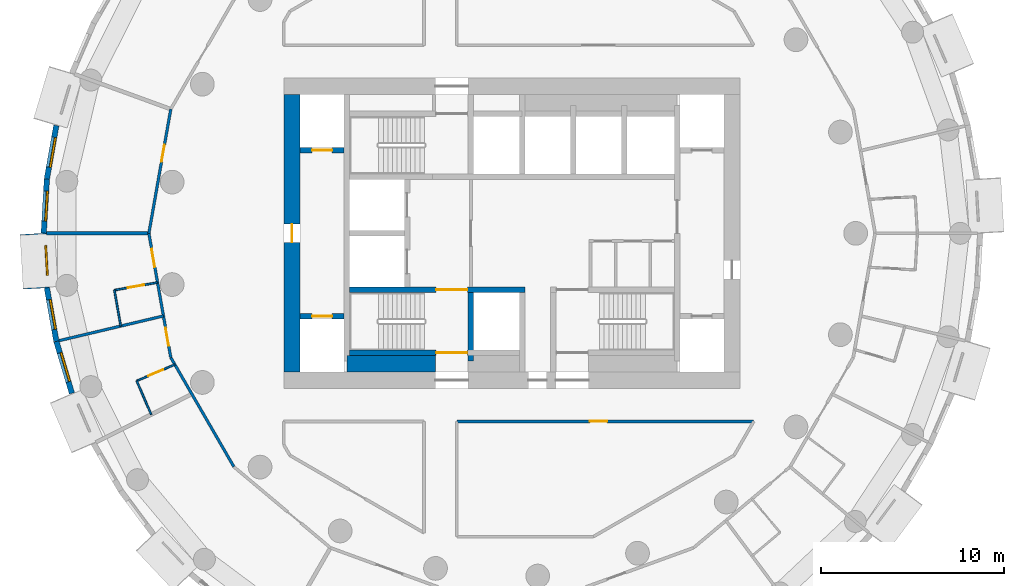
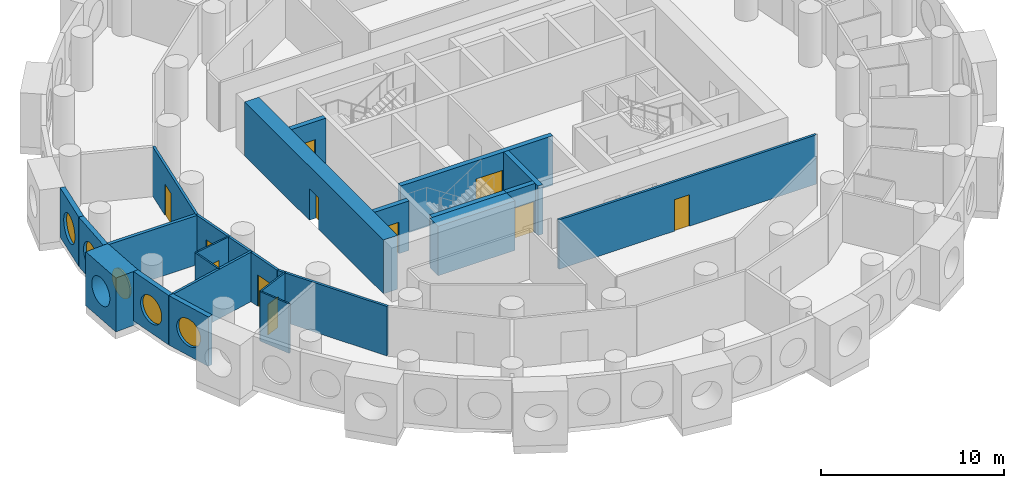
# One storey, part 3 of 10: 23 walls, 11 doors, 5 windows, 16 openings.
"""IFC4 building model written with IfcOpenShell, lengths in metres."""

from ifc_helpers import new_model, si_unit, direction, frame, frame_2d, origin, origin_2d, place, context, subcontext, project, spatial, rectangle, circle, extrude, material, layer, layer_set, type_object, element, fill, save


model = new_model("IFC4")

# Units and contexts
model_context = context("Model", 3, precision=1e-05, world=origin(), true_north=direction((0.0, 1.0)))
body_context = subcontext(model_context, "Body", "Model", "MODEL_VIEW")
ifc_project = project(units=[si_unit("LENGTHUNIT", "METRE"), si_unit("AREAUNIT", "SQUARE_METRE"), si_unit("VOLUMEUNIT", "CUBIC_METRE"), si_unit("PLANEANGLEUNIT", "RADIAN"), si_unit("MASSUNIT", "GRAM", prefix="KILO")], contexts=[model_context])

# Site, building, storey
site_placement = place(None, origin())
site = spatial("IfcSite", under=ifc_project, at=site_placement, CompositionType="ELEMENT")
building_placement = place(site_placement, origin())
building = spatial("IfcBuilding", under=site, at=building_placement, Name="Tracery Tower", CompositionType="ELEMENT")
storey_placement = place(building_placement, frame((0.0, 0.0, 194.39990234375)))
storey = spatial("IfcBuildingStorey", under=building, at=storey_placement, Name="L50", CompositionType="ELEMENT", Elevation=194.39990234375)

# Wall
ifc_material_1 = material(Name="Concrete C50/60", Category="concrete")
ifc_layer_1 = layer(ifc_material_1, 0.89990234375)
ifc_layer_set_1 = layer_set([ifc_layer_1], Name="Core strip wall 900 C50")
wall_type_1 = type_object("IfcWallType", Name="Core strip wall 900 C50", PredefinedType="SOLIDWALL", material=ifc_layer_set_1)
wall_1_placement = place(storey_placement, frame((-9.050048828125, -7.14990234375, 0.0), z_axis=(0.0, 0.0, 1.0), x_axis=(1.0, 0.0, 0.0)))
element("IfcWall", 1, at=wall_1_placement, inside=storey, type_object=wall_type_1, Name="L50 F thick S W", PredefinedType="SOLIDWALL", context=body_context, shape_type="SweptSolid", body=[
    extrude(rectangle(XDim=4.85009765625, YDim=0.89990234375, at=frame_2d((2.425048828125, 0.0))), origin(), (0.0, 0.0, 1.0), 3.300048828125),
])

# Wall, opening, door
ifc_material_2 = material(Name="Concrete C50/60", Category="concrete")
ifc_layer_2 = layer(ifc_material_2, 0.89990234375)
ifc_layer_set_2 = layer_set([ifc_layer_2], Name="Core wall 900 C50")
wall_type_2 = type_object("IfcWallType", Name="Core wall 900 C50", PredefinedType="SOLIDWALL", material=ifc_layer_set_2)
wall_2_placement = place(storey_placement, frame((-12.050048828125, -7.60009765625, 0.0), z_axis=(0.0, 0.0, 1.0), x_axis=(0.0, 1.0, 0.0)))
wall_2 = element("IfcWall", 2, at=wall_2_placement, inside=storey, type_object=wall_type_2, Name="L50 outer W", PredefinedType="SOLIDWALL", context=body_context, shape_type="SweptSolid", body=[
    extrude(rectangle(XDim=15.2001953125, YDim=0.89990234375, at=frame_2d((7.60009765625, 0.0))), origin(), (0.0, 0.0, 1.0), 3.60009765625),
])
opening_1_placement = place(wall_2_placement, frame((7.10009765625, 0.0, 0.0)))
opening_1 = element("IfcOpeningElement", 3, at=opening_1_placement, cuts=wall_2, Name="Opening KD18", PredefinedType="OPENING", context=body_context, shape_type="SweptSolid", body=[
    extrude(rectangle(XDim=1.0, YDim=2.10009765625, at=frame_2d((0.5, 1.050048828125))), frame((0.0, 0.449951171875, 0.0), z_axis=(0.0, -1.0, 0.0), x_axis=(1.0, 0.0, 0.0)), (0.0, 0.0, 1.0), 0.89990234375),
])
ifc_material_3 = material(Name="Steel fire door", Category="steel")
door_type_1 = type_object("IfcDoorType", Name="Core exit door 1000", OperationType="NOTDEFINED", PredefinedType="DOOR", material=ifc_material_3)
door_1_placement = place(opening_1_placement, origin())
door_1 = element("IfcDoor", 4, at=door_1_placement, inside=storey, type_object=door_type_1, Name="Core exit door", OperationType="DOUBLE_DOOR_SINGLE_SWING", OverallHeight=2.10009765625, OverallWidth=1.0, PredefinedType="DOOR", context=body_context, shape_type="SweptSolid", body=[
    extrude(rectangle(XDim=1.0, YDim=2.10009765625, at=frame_2d((0.5, 1.050048828125))), frame((0.0, 0.02490234375, 0.0), z_axis=(0.0, -1.0, 0.0), x_axis=(1.0, 0.0, 0.0)), (0.0, 0.0, 1.0), 0.050048828125),
])
fill(opening_1, door_1)

# Wall, opening, window
ifc_material_4 = material(Name="Precast concrete C50/60", Category="concrete")
ifc_layer_3 = layer(ifc_material_4, 1.449951171875)
ifc_layer_set_3 = layer_set([ifc_layer_3], Name="Deep-set bay unit 3000 x 3600, slab edge 300")
wall_type_3 = type_object("IfcWallType", Name="Deep-set bay unit 3000 x 3600, slab edge 300", PredefinedType="ELEMENTEDWALL", material=ifc_layer_set_3)
wall_3_placement = place(storey_placement, frame((-26.221923828125, -0.024658203125, -0.2998046875), z_axis=(0.0, 0.0, 1.0), x_axis=(0.058106596105, -0.998310384344, 0.0)))
wall_3 = element("IfcWall", 5, at=wall_3_placement, inside=storey, type_object=wall_type_3, Name="Deep-set bay unit 28 at L50", PredefinedType="ELEMENTEDWALL", context=body_context, shape_type="SweptSolid", body=[
    extrude(rectangle(XDim=3.0, YDim=1.449951171875, at=frame_2d((1.5, 0.0))), origin(), (0.0, 0.0, 1.0), 3.599853515625),
])
opening_2_placement = place(wall_3_placement, frame((1.5, 0.0, 1.85009765625)))
opening_2 = element("IfcOpeningElement", 6, at=opening_2_placement, cuts=wall_3, Name="Opening WN1", PredefinedType="OPENING", context=body_context, shape_type="SweptSolid", body=[
    extrude(circle(Radius=0.9000244140625, at=origin_2d()), frame((0.0, 0.73486328125, 0.0), z_axis=(0.0, -1.0, 0.0), x_axis=(1.0, 0.0, 0.0)), (0.0, 0.0, 1.0), 1.469970703125),
])
ifc_material_5 = material(Name="Aluminium frame with tinted double glazing", Category="aluminium")
window_type = type_object("IfcWindowType", Name="Round window 1800", PartitioningType="SINGLE_PANEL", PredefinedType="WINDOW", material=ifc_material_5)
window_1_placement = place(opening_2_placement, origin())
window_1 = element("IfcWindow", 7, at=window_1_placement, inside=storey, type_object=window_type, Name="Round window 28 at L50", OverallHeight=1.800048828125, OverallWidth=1.800048828125, PartitioningType="SINGLE_PANEL", PredefinedType="WINDOW", context=body_context, shape_type="SweptSolid", body=[
    extrude(circle(Radius=0.9000244140625, at=origin_2d()), frame((0.0, 0.69482421875, 0.0), z_axis=(0.0, -1.0, 0.0), x_axis=(1.0, 0.0, 0.0)), (0.0, 0.0, 1.0), 0.10009765625),
])
fill(opening_2, window_1)

ifc_material_6 = material(Name="Precast concrete C50/60", Category="concrete")
ifc_layer_4 = layer(ifc_material_6, 0.300048828125)
ifc_layer_set_4 = layer_set([ifc_layer_4], Name="Facade panel 3000 x 3300")
wall_type_4 = type_object("IfcWallType", Name="Facade panel 3000 x 3300", PredefinedType="SOLIDWALL", material=ifc_layer_set_4)
wall_4_placement = place(storey_placement, frame((-24.957763671875, 5.9052734375, 0.0), z_axis=(0.0, 0.0, 1.0), x_axis=(-0.173686952598, -0.984800915159, 0.0)))
wall_4 = element("IfcWall", 8, at=wall_4_placement, inside=storey, type_object=wall_type_4, Name="Facade panel 26 at L50", PredefinedType="SOLIDWALL", context=body_context, shape_type="SweptSolid", body=[
    extrude(rectangle(XDim=2.972900390625, YDim=0.300048828125, at=frame_2d((1.486328125, 0.0))), origin(), (0.0, 0.0, 1.0), 3.300048828125),
])
opening_3_placement = place(wall_4_placement, frame((1.486328125, 0.0, 1.5498046875)))
opening_3 = element("IfcOpeningElement", 9, at=opening_3_placement, cuts=wall_4, Name="Opening WN1", PredefinedType="OPENING", context=body_context, shape_type="SweptSolid", body=[
    extrude(circle(Radius=0.9000244140625, at=origin_2d()), frame((0.0, 0.159912109375, 0.0), z_axis=(0.0, -1.0, 0.0), x_axis=(1.0, 0.0, 0.0)), (0.0, 0.0, 1.0), 0.320068359375),
])
window_2_placement = place(opening_3_placement, origin())
window_2 = element("IfcWindow", 10, at=window_2_placement, inside=storey, type_object=window_type, Name="Round window 26 at L50", OverallHeight=1.800048828125, OverallWidth=1.800048828125, PartitioningType="SINGLE_PANEL", PredefinedType="WINDOW", context=body_context, shape_type="SweptSolid", body=[
    extrude(circle(Radius=0.9000244140625, at=origin_2d()), frame((0.0, 0.1201171875, 0.0), z_axis=(0.0, -1.0, 0.0), x_axis=(1.0, 0.0, 0.0)), (0.0, 0.0, 1.0), 0.10009765625),
])
fill(opening_3, window_2)

wall_5_placement = place(storey_placement, frame((-25.47412109375, 2.9775390625, 0.0), z_axis=(0.0, 0.0, 1.0), x_axis=(-0.058139540521, -0.998308466271, 0.0)))
wall_5 = element("IfcWall", 11, at=wall_5_placement, inside=storey, type_object=wall_type_4, Name="Facade panel 27 at L50", PredefinedType="SOLIDWALL", context=body_context, shape_type="SweptSolid", body=[
    extrude(rectangle(XDim=2.97314453125, YDim=0.300048828125, at=frame_2d((1.486572265625, 0.0))), origin(), (0.0, 0.0, 1.0), 3.300048828125),
])
opening_4_placement = place(wall_5_placement, frame((1.486328125, 0.0, 1.5498046875)))
opening_4 = element("IfcOpeningElement", 12, at=opening_4_placement, cuts=wall_5, Name="Opening WN1", PredefinedType="OPENING", context=body_context, shape_type="SweptSolid", body=[
    extrude(circle(Radius=0.9000244140625, at=origin_2d()), frame((0.0, 0.159912109375, 0.0), z_axis=(0.0, -1.0, 0.0), x_axis=(1.0, 0.0, 0.0)), (0.0, 0.0, 1.0), 0.320068359375),
])
window_3_placement = place(opening_4_placement, origin())
window_3 = element("IfcWindow", 13, at=window_3_placement, inside=storey, type_object=window_type, Name="Round window 27 at L50", OverallHeight=1.800048828125, OverallWidth=1.800048828125, PartitioningType="SINGLE_PANEL", PredefinedType="WINDOW", context=body_context, shape_type="SweptSolid", body=[
    extrude(circle(Radius=0.9000244140625, at=origin_2d()), frame((0.0, 0.1201171875, 0.0), z_axis=(0.0, -1.0, 0.0), x_axis=(1.0, 0.0, 0.0)), (0.0, 0.0, 1.0), 0.10009765625),
])
fill(opening_4, window_3)

wall_6_placement = place(storey_placement, frame((-25.472412109375, -2.987060546875, 0.0), z_axis=(0.0, 0.0, 1.0), x_axis=(0.173686952598, -0.984800915159, 0.0)))
wall_6 = element("IfcWall", 14, at=wall_6_placement, inside=storey, type_object=wall_type_4, Name="Facade panel 29 at L50", PredefinedType="SOLIDWALL", context=body_context, shape_type="SweptSolid", body=[
    extrude(rectangle(XDim=2.972900390625, YDim=0.300048828125, at=frame_2d((1.486328125, 0.0))), origin(), (0.0, 0.0, 1.0), 3.300048828125),
])
opening_5_placement = place(wall_6_placement, frame((1.486328125, 0.0, 1.5498046875)))
opening_5 = element("IfcOpeningElement", 15, at=opening_5_placement, cuts=wall_6, Name="Opening WN1", PredefinedType="OPENING", context=body_context, shape_type="SweptSolid", body=[
    extrude(circle(Radius=0.9000244140625, at=origin_2d()), frame((0.0, 0.159912109375, 0.0), z_axis=(0.0, -1.0, 0.0), x_axis=(1.0, 0.0, 0.0)), (0.0, 0.0, 1.0), 0.320068359375),
])
window_4_placement = place(opening_5_placement, origin())
window_4 = element("IfcWindow", 16, at=window_4_placement, inside=storey, type_object=window_type, Name="Round window 29 at L50", OverallHeight=1.800048828125, OverallWidth=1.800048828125, PartitioningType="SINGLE_PANEL", PredefinedType="WINDOW", context=body_context, shape_type="SweptSolid", body=[
    extrude(circle(Radius=0.9000244140625, at=origin_2d()), frame((0.0, 0.1201171875, 0.0), z_axis=(0.0, -1.0, 0.0), x_axis=(1.0, 0.0, 0.0)), (0.0, 0.0, 1.0), 0.10009765625),
])
fill(opening_5, window_4)

wall_7_placement = place(storey_placement, frame((-24.9560546875, -5.914794921875, 0.0), z_axis=(0.0, 0.0, 1.0), x_axis=(0.286782750849, -0.957995643944, 0.0)))
wall_7 = element("IfcWall", 17, at=wall_7_placement, inside=storey, type_object=wall_type_4, Name="Facade panel 30 at L50", PredefinedType="SOLIDWALL", context=body_context, shape_type="SweptSolid", body=[
    extrude(rectangle(XDim=2.97265625, YDim=0.300048828125, at=frame_2d((1.486328125, 0.0))), origin(), (0.0, 0.0, 1.0), 3.300048828125),
])
opening_6_placement = place(wall_7_placement, frame((1.486328125, 0.0, 1.5498046875)))
opening_6 = element("IfcOpeningElement", 18, at=opening_6_placement, cuts=wall_7, Name="Opening WN1", PredefinedType="OPENING", context=body_context, shape_type="SweptSolid", body=[
    extrude(circle(Radius=0.9000244140625, at=origin_2d()), frame((0.0, 0.159912109375, 0.0), z_axis=(0.0, -1.0, 0.0), x_axis=(1.0, 0.0, 0.0)), (0.0, 0.0, 1.0), 0.320068359375),
])
window_5_placement = place(opening_6_placement, origin())
window_5 = element("IfcWindow", 19, at=window_5_placement, inside=storey, type_object=window_type, Name="Round window 30 at L50", OverallHeight=1.800048828125, OverallWidth=1.800048828125, PartitioningType="SINGLE_PANEL", PredefinedType="WINDOW", context=body_context, shape_type="SweptSolid", body=[
    extrude(circle(Radius=0.9000244140625, at=origin_2d()), frame((0.0, 0.1201171875, 0.0), z_axis=(0.0, -1.0, 0.0), x_axis=(1.0, 0.0, 0.0)), (0.0, 0.0, 1.0), 0.10009765625),
])
fill(opening_6, window_5)

# Wall, opening, door
ifc_material_7 = material(Name="Plasterboard on steel studs", Category="steel")
ifc_layer_5 = layer(ifc_material_7, 0.10009765625)
ifc_layer_set_5 = layer_set([ifc_layer_5], Name="Partition 100 wet wall")
wall_type_5 = type_object("IfcWallType", Name="Partition 100 wet wall", PredefinedType="PARTITIONING", material=ifc_layer_set_5)
wall_8_placement = place(storey_placement, frame((-21.77587890625, -3.111083984375, 0.0), z_axis=(0.0, 0.0, 1.0), x_axis=(0.984781509998, 0.173796943488, 0.0)))
wall_8 = element("IfcWall", 20, at=wall_8_placement, inside=storey, type_object=wall_type_5, Name="Wet wall RB7-049", PredefinedType="PARTITIONING", context=body_context, shape_type="SweptSolid", body=[
    extrude(rectangle(XDim=2.3994140625, YDim=0.10009765625, at=frame_2d((1.19970703125, 0.0))), origin(), (0.0, 0.0, 1.0), 3.300048828125),
])
opening_7_placement = place(wall_8_placement, frame((0.74951171875, 0.0, 0.0)))
opening_7 = element("IfcOpeningElement", 21, at=opening_7_placement, cuts=wall_8, Name="Opening RB7-12", PredefinedType="OPENING", context=body_context, shape_type="SweptSolid", body=[
    extrude(rectangle(XDim=0.89990234375, YDim=2.0400390625, at=frame_2d((0.449951171875, 1.02001953125))), frame((0.0, 0.050048828125, 0.0), z_axis=(0.0, -1.0, 0.0), x_axis=(1.0, 0.0, 0.0)), (0.0, 0.0, 1.0), 0.10009765625),
])
ifc_material_8 = material(Name="Timber door leaf", Category="wood")
door_type_2 = type_object("IfcDoorType", Name="Door en-suite 900", OperationType="NOTDEFINED", PredefinedType="DOOR", material=ifc_material_8)
door_2_placement = place(opening_7_placement, origin())
door_2 = element("IfcDoor", 22, at=door_2_placement, inside=storey, type_object=door_type_2, Name="En-suite door RB7-12", OperationType="SINGLE_SWING_RIGHT", OverallHeight=2.0400390625, OverallWidth=0.89990234375, PredefinedType="DOOR", context=body_context, shape_type="SweptSolid", body=[
    extrude(rectangle(XDim=0.89990234375, YDim=2.0400390625, at=frame_2d((0.449951171875, 1.02001953125))), frame((0.0, 0.02490234375, 0.0), z_axis=(0.0, -1.0, 0.0), x_axis=(1.0, 0.0, 0.0)), (0.0, 0.0, 1.0), 0.050048828125),
])
fill(opening_7, door_2)

# Wall
wall_9_placement = place(storey_placement, frame((-21.77587890625, -3.111083984375, 0.0), z_axis=(0.0, 0.0, 1.0), x_axis=(0.17360412522, -0.984815519631, 0.0)))
element("IfcWall", 23, at=wall_9_placement, inside=storey, type_object=wall_type_5, Name="Wet wall RB7-050", PredefinedType="PARTITIONING", context=body_context, shape_type="SweptSolid", body=[
    extrude(rectangle(XDim=1.998291015625, YDim=0.10009765625, at=frame_2d((0.9990234375, 0.0))), origin(), (0.0, 0.0, 1.0), 3.300048828125),
])

# Wall, opening, door
wall_10_placement = place(storey_placement, frame((-20.552978515625, -8.083984375, 0.0), z_axis=(0.0, 0.0, 1.0), x_axis=(0.918353723737, 0.395760581789, 0.0)))
wall_10 = element("IfcWall", 24, at=wall_10_placement, inside=storey, type_object=wall_type_5, Name="Wet wall RB7-052", PredefinedType="PARTITIONING", context=body_context, shape_type="SweptSolid", body=[
    extrude(rectangle(XDim=2.271484375, YDim=0.10009765625, at=frame_2d((1.1357421875, 0.0))), origin(), (0.0, 0.0, 1.0), 3.300048828125),
])
opening_8_placement = place(wall_10_placement, frame((0.685546875, 0.0, 0.0)))
opening_8 = element("IfcOpeningElement", 25, at=opening_8_placement, cuts=wall_10, Name="Opening RB7-14", PredefinedType="OPENING", context=body_context, shape_type="SweptSolid", body=[
    extrude(rectangle(XDim=0.89990234375, YDim=2.0400390625, at=frame_2d((0.449951171875, 1.02001953125))), frame((0.0, 0.050048828125, 0.0), z_axis=(0.0, -1.0, 0.0), x_axis=(1.0, 0.0, 0.0)), (0.0, 0.0, 1.0), 0.10009765625),
])
door_3_placement = place(opening_8_placement, origin())
door_3 = element("IfcDoor", 26, at=door_3_placement, inside=storey, type_object=door_type_2, Name="En-suite door RB7-14", OperationType="SINGLE_SWING_RIGHT", OverallHeight=2.0400390625, OverallWidth=0.89990234375, PredefinedType="DOOR", context=body_context, shape_type="SweptSolid", body=[
    extrude(rectangle(XDim=0.89990234375, YDim=2.0400390625, at=frame_2d((0.449951171875, 1.02001953125))), frame((0.0, 0.02490234375, 0.0), z_axis=(0.0, -1.0, 0.0), x_axis=(1.0, 0.0, 0.0)), (0.0, 0.0, 1.0), 0.050048828125),
])
fill(opening_8, door_3)

# Walls
wall_11_placement = place(storey_placement, frame((-20.552978515625, -8.083984375, 0.0), z_axis=(0.0, 0.0, 1.0), x_axis=(0.395756708969, -0.918355392703, 0.0)))
element("IfcWall", 27, at=wall_11_placement, inside=storey, type_object=wall_type_5, Name="Wet wall RB7-053", PredefinedType="PARTITIONING", context=body_context, shape_type="SweptSolid", body=[
    extrude(rectangle(XDim=2.003662109375, YDim=0.10009765625, at=frame_2d((1.001953125, 0.0))), origin(), (0.0, 0.0, 1.0), 3.300048828125),
])
ifc_material_9 = material(Name="Plasterboard on steel studs", Category="steel")
ifc_layer_6 = layer(ifc_material_9, 0.14990234375)
ifc_layer_set_6 = layer_set([ifc_layer_6], Name="Partition 150 acoustic unit wall")
wall_type_6 = type_object("IfcWallType", Name="Partition 150 acoustic unit wall", PredefinedType="PARTITIONING", material=ifc_layer_set_6)
wall_12_placement = place(storey_placement, frame((-24.81005859375, -5.8798828125, 0.0), z_axis=(0.0, 0.0, 1.0), x_axis=(0.973072933953, 0.230497429938, 0.0)))
element("IfcWall", 28, at=wall_12_placement, inside=storey, type_object=wall_type_6, Name="Unit wall RB7-051", PredefinedType="PARTITIONING", context=body_context, shape_type="SweptSolid", body=[
    extrude(rectangle(XDim=5.87841796875, YDim=0.14990234375, at=frame_2d((2.939208984375, 0.0))), origin(), (0.0, 0.0, 1.0), 3.300048828125),
])

# Wall, opening, door
ifc_material_10 = material(Name="Plasterboard on steel studs", Category="steel")
ifc_layer_7 = layer(ifc_material_10, 0.14990234375)
ifc_layer_set_7 = layer_set([ifc_layer_7], Name="Partition 150 corridor wall")
wall_type_7 = type_object("IfcWallType", Name="Partition 150 corridor wall", PredefinedType="PARTITIONING", material=ifc_layer_set_7)
wall_13_placement = place(storey_placement, frame((-3.02490234375, -10.300048828125, 0.0), z_axis=(0.0, 0.0, 1.0), x_axis=(1.0, 0.0, 0.0)))
wall_13 = element("IfcWall", 29, at=wall_13_placement, inside=storey, type_object=wall_type_7, Name="Corridor wall RB7-004", PredefinedType="PARTITIONING", context=body_context, shape_type="SweptSolid", body=[
    extrude(rectangle(XDim=16.261962890625, YDim=0.14990234375, at=frame_2d((8.130859375, 0.0))), origin(), (0.0, 0.0, 1.0), 3.300048828125),
])
opening_9_placement = place(wall_13_placement, frame((7.287109375, 0.0, 0.0)))
opening_9 = element("IfcOpeningElement", 30, at=opening_9_placement, cuts=wall_13, Name="Opening RB7-04", PredefinedType="OPENING", context=body_context, shape_type="SweptSolid", body=[
    extrude(rectangle(XDim=0.949951171875, YDim=2.10009765625, at=frame_2d((0.47509765625, 1.050048828125))), frame((0.0, 0.074951171875, 0.0), z_axis=(0.0, -1.0, 0.0), x_axis=(1.0, 0.0, 0.0)), (0.0, 0.0, 1.0), 0.14990234375),
])
ifc_material_11 = material(Name="Timber door leaf", Category="wood")
door_type_3 = type_object("IfcDoorType", Name="Door store 950", OperationType="NOTDEFINED", PredefinedType="DOOR", material=ifc_material_11)
door_4_placement = place(opening_9_placement, origin())
door_4 = element("IfcDoor", 31, at=door_4_placement, inside=storey, type_object=door_type_3, Name="Store door RB7-04", OperationType="SINGLE_SWING_RIGHT", OverallHeight=2.10009765625, OverallWidth=0.949951171875, PredefinedType="DOOR", context=body_context, shape_type="SweptSolid", body=[
    extrude(rectangle(XDim=0.949951171875, YDim=2.10009765625, at=frame_2d((0.47509765625, 1.050048828125))), frame((0.0, 0.02490234375, 0.0), z_axis=(0.0, -1.0, 0.0), x_axis=(1.0, 0.0, 0.0)), (0.0, 0.0, 1.0), 0.050048828125),
])
fill(opening_9, door_4)

wall_14_placement = place(storey_placement, frame((-19.887939453125, 0.0, 0.0), z_axis=(0.0, 0.0, 1.0), x_axis=(0.173728873845, 0.98479352069, 0.0)))
wall_14 = element("IfcWall", 32, at=wall_14_placement, inside=storey, type_object=wall_type_7, Name="Corridor wall RB7-028", PredefinedType="PARTITIONING", context=body_context, shape_type="SweptSolid", body=[
    extrude(rectangle(XDim=6.906982421875, YDim=0.14990234375, at=frame_2d((3.45361328125, 0.0))), origin(), (0.0, 0.0, 1.0), 3.300048828125),
])
opening_10_placement = place(wall_14_placement, frame((3.97900390625, 0.0, 0.0)))
opening_10 = element("IfcOpeningElement", 33, at=opening_10_placement, cuts=wall_14, Name="Opening RB7-11", PredefinedType="OPENING", context=body_context, shape_type="SweptSolid", body=[
    extrude(rectangle(XDim=0.949951171875, YDim=2.10009765625, at=frame_2d((0.47509765625, 1.050048828125))), frame((0.0, 0.074951171875, 0.0), z_axis=(0.0, -1.0, 0.0), x_axis=(1.0, 0.0, 0.0)), (0.0, 0.0, 1.0), 0.14990234375),
])
door_5_placement = place(opening_10_placement, origin())
door_5 = element("IfcDoor", 34, at=door_5_placement, inside=storey, type_object=door_type_3, Name="Store door RB7-11", OperationType="SINGLE_SWING_RIGHT", OverallHeight=2.10009765625, OverallWidth=0.949951171875, PredefinedType="DOOR", context=body_context, shape_type="SweptSolid", body=[
    extrude(rectangle(XDim=0.949951171875, YDim=2.10009765625, at=frame_2d((0.47509765625, 1.050048828125))), frame((0.0, 0.02490234375, 0.0), z_axis=(0.0, -1.0, 0.0), x_axis=(1.0, 0.0, 0.0)), (0.0, 0.0, 1.0), 0.050048828125),
])
fill(opening_10, door_5)

# Wall, openings, doors
wall_15_placement = place(storey_placement, frame((-19.887939453125, 0.0, 0.0), z_axis=(0.0, 0.0, 1.0), x_axis=(0.173728873845, -0.98479352069, 0.0)))
wall_15 = element("IfcWall", 35, at=wall_15_placement, inside=storey, type_object=wall_type_7, Name="Corridor wall RB7-029", PredefinedType="PARTITIONING", context=body_context, shape_type="SweptSolid", body=[
    extrude(rectangle(XDim=6.906982421875, YDim=0.14990234375, at=frame_2d((3.45361328125, 0.0))), origin(), (0.0, 0.0, 1.0), 3.300048828125),
])
opening_11_placement = place(wall_15_placement, frame((0.86962890625, 0.0, 0.0)))
opening_11 = element("IfcOpeningElement", 36, at=opening_11_placement, cuts=wall_15, Name="Opening RB7-13", PredefinedType="OPENING", context=body_context, shape_type="SweptSolid", body=[
    extrude(rectangle(XDim=1.0, YDim=2.10009765625, at=frame_2d((0.5, 1.050048828125))), frame((0.0, 0.074951171875, 0.0), z_axis=(0.0, -1.0, 0.0), x_axis=(1.0, 0.0, 0.0)), (0.0, 0.0, 1.0), 0.14990234375),
])
opening_12_placement = place(wall_15_placement, frame((5.248046875, 0.0, 0.0)))
opening_12 = element("IfcOpeningElement", 37, at=opening_12_placement, cuts=wall_15, Name="Opening RB7-15", PredefinedType="OPENING", context=body_context, shape_type="SweptSolid", body=[
    extrude(rectangle(XDim=1.0, YDim=2.10009765625, at=frame_2d((0.5, 1.050048828125))), frame((0.0, 0.074951171875, 0.0), z_axis=(0.0, -1.0, 0.0), x_axis=(1.0, 0.0, 0.0)), (0.0, 0.0, 1.0), 0.14990234375),
])
ifc_material_12 = material(Name="Timber door leaf", Category="wood")
door_type_4 = type_object("IfcDoorType", Name="Door unit entrance 1000", OperationType="NOTDEFINED", PredefinedType="DOOR", material=ifc_material_12)
door_6_placement = place(opening_11_placement, origin())
door_6 = element("IfcDoor", 38, at=door_6_placement, inside=storey, type_object=door_type_4, Name="Unit entrance door RB7-13", OperationType="SINGLE_SWING_RIGHT", OverallHeight=2.10009765625, OverallWidth=1.0, PredefinedType="DOOR", context=body_context, shape_type="SweptSolid", body=[
    extrude(rectangle(XDim=1.0, YDim=2.10009765625, at=frame_2d((0.5, 1.050048828125))), frame((0.0, 0.02490234375, 0.0), z_axis=(0.0, -1.0, 0.0), x_axis=(1.0, 0.0, 0.0)), (0.0, 0.0, 1.0), 0.050048828125),
])
fill(opening_11, door_6)
door_7_placement = place(opening_12_placement, origin())
door_7 = element("IfcDoor", 39, at=door_7_placement, inside=storey, type_object=door_type_4, Name="Unit entrance door RB7-15", OperationType="SINGLE_SWING_RIGHT", OverallHeight=2.10009765625, OverallWidth=1.0, PredefinedType="DOOR", context=body_context, shape_type="SweptSolid", body=[
    extrude(rectangle(XDim=1.0, YDim=2.10009765625, at=frame_2d((0.5, 1.050048828125))), frame((0.0, 0.02490234375, 0.0), z_axis=(0.0, -1.0, 0.0), x_axis=(1.0, 0.0, 0.0)), (0.0, 0.0, 1.0), 0.050048828125),
])
fill(opening_12, door_7)

# Walls
wall_16_placement = place(storey_placement, frame((-18.68798828125, -6.802001953125, 0.0), z_axis=(0.0, 0.0, 1.0), x_axis=(0.500229307554, -0.865892972523, 0.0)))
element("IfcWall", 40, at=wall_16_placement, inside=storey, type_object=wall_type_7, Name="Corridor wall RB7-030", PredefinedType="PARTITIONING", context=body_context, shape_type="SweptSolid", body=[
    extrude(rectangle(XDim=6.906982421875, YDim=0.14990234375, at=frame_2d((3.45361328125, 0.0))), origin(), (0.0, 0.0, 1.0), 3.300048828125),
])
ifc_material_13 = material(Name="Plasterboard on steel studs", Category="steel")
ifc_layer_8 = layer(ifc_material_13, 0.199951171875)
ifc_layer_set_8 = layer_set([ifc_layer_8], Name="Partition 200 compartment wall")
wall_type_8 = type_object("IfcWallType", Name="Partition 200 compartment wall", PredefinedType="PARTITIONING", material=ifc_layer_set_8)
wall_17_placement = place(storey_placement, frame((-25.4970703125, 0.0, 0.0), z_axis=(0.0, 0.0, 1.0), x_axis=(1.0, 0.0, 0.0)))
element("IfcWall", 41, at=wall_17_placement, inside=storey, type_object=wall_type_8, Name="Compartment wall RB7-048", PredefinedType="PARTITIONING", context=body_context, shape_type="SweptSolid", body=[
    extrude(rectangle(XDim=5.609130859375, YDim=0.199951171875, at=frame_2d((2.8046875, 0.0))), origin(), (0.0, 0.0, 1.0), 3.300048828125),
])

# Wall, opening, door
ifc_material_14 = material(Name="Concrete C50/60", Category="concrete")
ifc_layer_9 = layer(ifc_material_14, 0.300048828125)
ifc_layer_set_9 = layer_set([ifc_layer_9], Name="Shaft wall 300 C50")
wall_type_9 = type_object("IfcWallType", Name="Shaft wall 300 C50", PredefinedType="SOLIDWALL", material=ifc_layer_set_9)
wall_18_placement = place(storey_placement, frame((-11.60009765625, -4.550048828125, 0.0), z_axis=(0.0, 0.0, 1.0), x_axis=(1.0, 0.0, 0.0)))
wall_18 = element("IfcWall", 42, at=wall_18_placement, inside=storey, type_object=wall_type_9, Name="L50 MR W -4.55", PredefinedType="SOLIDWALL", context=body_context, shape_type="SweptSolid", body=[
    extrude(rectangle(XDim=2.400146484375, YDim=0.300048828125, at=frame_2d((1.2001953125, 0.0))), origin(), (0.0, 0.0, 1.0), 3.300048828125),
])
opening_13_placement = place(wall_18_placement, frame((0.64990234375, 0.0, 0.0)))
opening_13 = element("IfcOpeningElement", 43, at=opening_13_placement, cuts=wall_18, Name="Opening KD50", PredefinedType="OPENING", context=body_context, shape_type="SweptSolid", body=[
    extrude(rectangle(XDim=1.10009765625, YDim=2.10009765625, at=frame_2d((0.550048828125, 1.050048828125))), frame((0.0, 0.14990234375, 0.0), z_axis=(0.0, -1.0, 0.0), x_axis=(1.0, 0.0, 0.0)), (0.0, 0.0, 1.0), 0.300048828125),
])
ifc_material_15 = material(Name="Steel fire door", Category="steel")
door_type_5 = type_object("IfcDoorType", Name="Landing door 1100", OperationType="NOTDEFINED", PredefinedType="DOOR", material=ifc_material_15)
door_8_placement = place(opening_13_placement, origin())
door_8 = element("IfcDoor", 44, at=door_8_placement, inside=storey, type_object=door_type_5, Name="Landing door MR1", OperationType="SLIDING_TO_RIGHT", OverallHeight=2.10009765625, OverallWidth=1.10009765625, PredefinedType="DOOR", context=body_context, shape_type="SweptSolid", body=[
    extrude(rectangle(XDim=1.10009765625, YDim=2.10009765625, at=frame_2d((0.550048828125, 1.050048828125))), frame((0.0, 0.02490234375, 0.0), z_axis=(0.0, -1.0, 0.0), x_axis=(1.0, 0.0, 0.0)), (0.0, 0.0, 1.0), 0.050048828125),
])
fill(opening_13, door_8)

wall_19_placement = place(storey_placement, frame((-11.60009765625, 4.550048828125, 0.0), z_axis=(0.0, 0.0, 1.0), x_axis=(1.0, 0.0, 0.0)))
wall_19 = element("IfcWall", 45, at=wall_19_placement, inside=storey, type_object=wall_type_9, Name="L50 MR W +4.55", PredefinedType="SOLIDWALL", context=body_context, shape_type="SweptSolid", body=[
    extrude(rectangle(XDim=2.400146484375, YDim=0.300048828125, at=frame_2d((1.2001953125, 0.0))), origin(), (0.0, 0.0, 1.0), 3.300048828125),
])
opening_14_placement = place(wall_19_placement, frame((0.64990234375, 0.0, 0.0)))
opening_14 = element("IfcOpeningElement", 46, at=opening_14_placement, cuts=wall_19, Name="Opening KD49", PredefinedType="OPENING", context=body_context, shape_type="SweptSolid", body=[
    extrude(rectangle(XDim=1.10009765625, YDim=2.10009765625, at=frame_2d((0.550048828125, 1.050048828125))), frame((0.0, 0.14990234375, 0.0), z_axis=(0.0, -1.0, 0.0), x_axis=(1.0, 0.0, 0.0)), (0.0, 0.0, 1.0), 0.300048828125),
])
door_9_placement = place(opening_14_placement, origin())
door_9 = element("IfcDoor", 47, at=door_9_placement, inside=storey, type_object=door_type_5, Name="Landing door MR2", OperationType="SLIDING_TO_LEFT", OverallHeight=2.10009765625, OverallWidth=1.10009765625, PredefinedType="DOOR", context=body_context, shape_type="SweptSolid", body=[
    extrude(rectangle(XDim=1.10009765625, YDim=2.10009765625, at=frame_2d((0.550048828125, 1.050048828125))), frame((0.0, 0.02490234375, 0.0), z_axis=(0.0, -1.0, 0.0), x_axis=(1.0, 0.0, 0.0)), (0.0, 0.0, 1.0), 0.050048828125),
])
fill(opening_14, door_9)

ifc_material_16 = material(Name="Concrete C50/60", Category="concrete")
ifc_layer_10 = layer(ifc_material_16, 0.300048828125)
ifc_layer_set_10 = layer_set([ifc_layer_10], Name="Stair wall 300 C50")
wall_type_10 = type_object("IfcWallType", Name="Stair wall 300 C50", PredefinedType="SOLIDWALL", material=ifc_layer_set_10)
wall_20_placement = place(storey_placement, frame((-8.89990234375, -3.10009765625, 0.0), z_axis=(0.0, 0.0, 1.0), x_axis=(1.0, 0.0, 0.0)))
wall_20 = element("IfcWall", 48, at=wall_20_placement, inside=storey, type_object=wall_type_10, Name="L50 row S", PredefinedType="SOLIDWALL", context=body_context, shape_type="SweptSolid", body=[
    extrude(rectangle(XDim=9.599853515625, YDim=0.300048828125, at=frame_2d((4.7998046875, 0.0))), origin(), (0.0, 0.0, 1.0), 3.300048828125),
])
opening_15_placement = place(wall_20_placement, frame((4.75, 0.0, 0.0)))
opening_15 = element("IfcOpeningElement", 49, at=opening_15_placement, cuts=wall_20, Name="Opening KD3", PredefinedType="OPENING", context=body_context, shape_type="SweptSolid", body=[
    extrude(rectangle(XDim=1.699951171875, YDim=2.10009765625, at=frame_2d((0.85009765625, 1.050048828125))), frame((0.0, 0.14990234375, 0.0), z_axis=(0.0, -1.0, 0.0), x_axis=(1.0, 0.0, 0.0)), (0.0, 0.0, 1.0), 0.300048828125),
])
ifc_material_17 = material(Name="Steel fire door", Category="steel")
door_type_6 = type_object("IfcDoorType", Name="Core stair door 1700 double", OperationType="NOTDEFINED", PredefinedType="DOOR", material=ifc_material_17)
door_10_placement = place(opening_15_placement, origin())
door_10 = element("IfcDoor", 50, at=door_10_placement, inside=storey, type_object=door_type_6, Name="Stair door ST1", OperationType="DOUBLE_DOOR_SINGLE_SWING", OverallHeight=2.10009765625, OverallWidth=1.699951171875, PredefinedType="DOOR", context=body_context, shape_type="SweptSolid", body=[
    extrude(rectangle(XDim=1.699951171875, YDim=2.10009765625, at=frame_2d((0.85009765625, 1.050048828125))), frame((0.0, 0.02490234375, 0.0), z_axis=(0.0, -1.0, 0.0), x_axis=(1.0, 0.0, 0.0)), (0.0, 0.0, 1.0), 0.050048828125),
])
fill(opening_15, door_10)

# Walls
wall_21_placement = place(storey_placement, frame((-2.25, -7.0, 0.0), z_axis=(0.0, 0.0, 1.0), x_axis=(0.0, 1.0, 0.0)))
element("IfcWall", 51, at=wall_21_placement, inside=storey, type_object=wall_type_10, Name="L50 ST1 E", PredefinedType="SOLIDWALL", context=body_context, shape_type="SweptSolid", body=[
    extrude(rectangle(XDim=3.75, YDim=0.300048828125, at=frame_2d((1.875, 0.0))), origin(), (0.0, 0.0, 1.0), 3.300048828125),
])
wall_22_placement = place(storey_placement, frame((-8.89990234375, -6.550048828125, 0.0), z_axis=(0.0, 0.0, 1.0), x_axis=(1.0, 0.0, 0.0)))
element("IfcWall", 52, at=wall_22_placement, inside=storey, type_object=wall_type_10, Name="L50 F stair strip S W", PredefinedType="SOLIDWALL", context=body_context, shape_type="SweptSolid", body=[
    extrude(rectangle(XDim=4.699951171875, YDim=0.300048828125, at=frame_2d((2.35009765625, 0.0))), origin(), (0.0, 0.0, 1.0), 3.300048828125),
])

# Wall, opening, door
wall_23_placement = place(storey_placement, frame((-4.199951171875, -6.550048828125, 0.0), z_axis=(0.0, 0.0, 1.0), x_axis=(1.0, 0.0, 0.0)))
wall_23 = element("IfcWall", 53, at=wall_23_placement, inside=storey, type_object=wall_type_10, Name="L50 F stair S W", PredefinedType="SOLIDWALL", context=body_context, shape_type="SweptSolid", body=[
    extrude(rectangle(XDim=1.800048828125, YDim=0.300048828125, at=frame_2d((0.89990234375, 0.0))), origin(), (0.0, 0.0, 1.0), 3.300048828125),
])
opening_16_placement = place(wall_23_placement, frame((0.050048828125, 0.0, 0.0)))
opening_16 = element("IfcOpeningElement", 54, at=opening_16_placement, cuts=wall_23, Name="Opening KD3", PredefinedType="OPENING", context=body_context, shape_type="SweptSolid", body=[
    extrude(rectangle(XDim=1.699951171875, YDim=2.10009765625, at=frame_2d((0.85009765625, 1.050048828125))), frame((0.0, 0.14990234375, 0.0), z_axis=(0.0, -1.0, 0.0), x_axis=(1.0, 0.0, 0.0)), (0.0, 0.0, 1.0), 0.300048828125),
])
door_11_placement = place(opening_16_placement, origin())
door_11 = element("IfcDoor", 55, at=door_11_placement, inside=storey, type_object=door_type_6, Name="Stair door vest", OperationType="DOUBLE_DOOR_SINGLE_SWING", OverallHeight=2.10009765625, OverallWidth=1.699951171875, PredefinedType="DOOR", context=body_context, shape_type="SweptSolid", body=[
    extrude(rectangle(XDim=1.699951171875, YDim=2.10009765625, at=frame_2d((0.85009765625, 1.050048828125))), frame((0.0, 0.02490234375, 0.0), z_axis=(0.0, -1.0, 0.0), x_axis=(1.0, 0.0, 0.0)), (0.0, 0.0, 1.0), 0.050048828125),
])
fill(opening_16, door_11)

save(model, "model.ifc")
